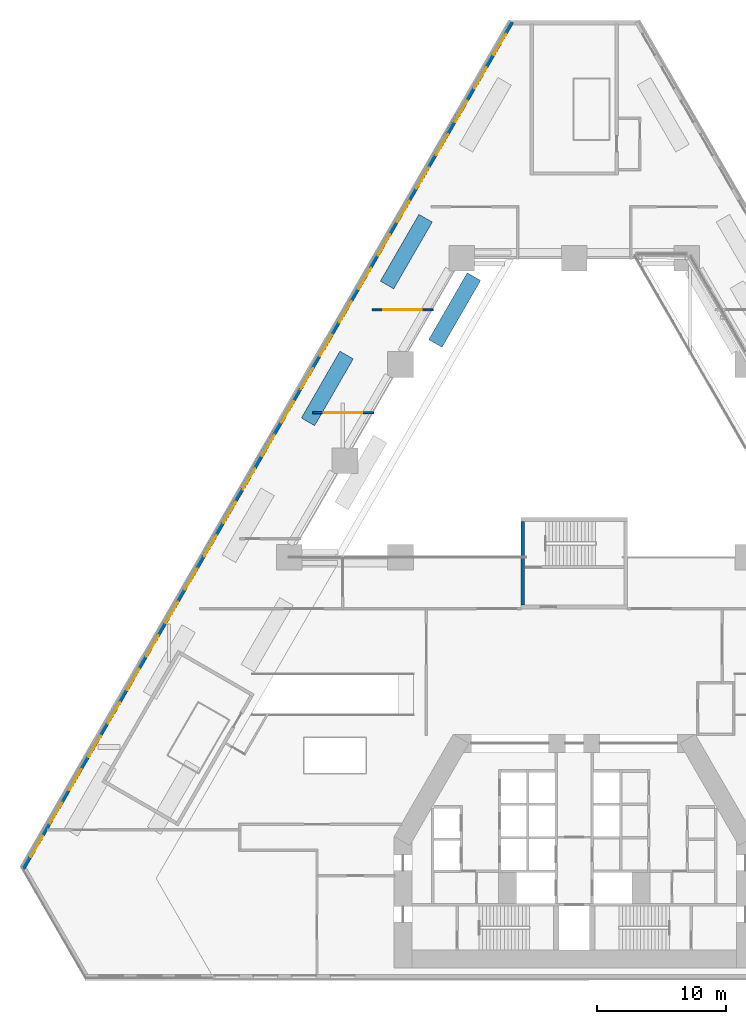
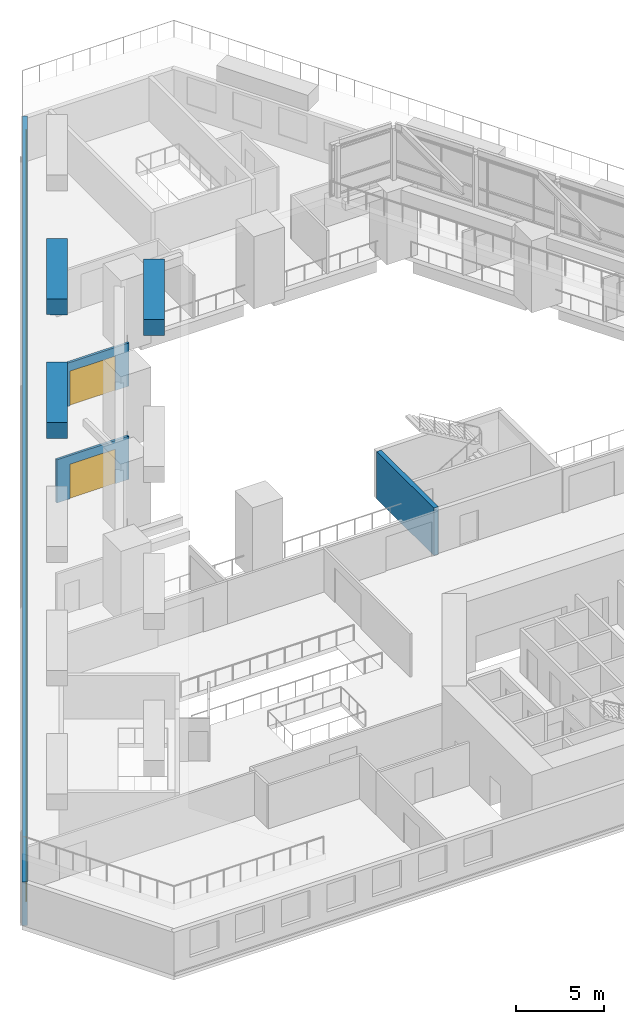
# One storey, part 11 of 19: 25 windows, 7 walls, 2 doors, 27 openings.
"""IFC4 building model written with IfcOpenShell, lengths in metres."""

from ifc_helpers import new_model, si_unit, direction, frame, frame_2d, origin, place, context, subcontext, project, spatial, polyline, rectangle, outline, extrude, material, layer, layer_set, type_object, element, fill, save


model = new_model("IFC4")

# Units and contexts
model_context = context("Model", 3, precision=1e-05, world=origin(), true_north=direction((0.0, 1.0)))
body_context = subcontext(model_context, "Body", "Model", "MODEL_VIEW")
ifc_project = project(units=[si_unit("LENGTHUNIT", "METRE"), si_unit("AREAUNIT", "SQUARE_METRE"), si_unit("VOLUMEUNIT", "CUBIC_METRE"), si_unit("PLANEANGLEUNIT", "RADIAN"), si_unit("MASSUNIT", "GRAM", prefix="KILO")], contexts=[model_context])

# Site, building, storey
site_placement = place(None, origin())
site = spatial("IfcSite", under=ifc_project, at=site_placement, CompositionType="ELEMENT")
building_placement = place(site_placement, origin())
building = spatial("IfcBuilding", under=site, at=building_placement, Name="Fogline Exchange Tower", CompositionType="ELEMENT")
storey_placement = place(building_placement, frame((0.0, 0.0, 20.0)))
storey = spatial("IfcBuildingStorey", under=building, at=storey_placement, Name="L03", CompositionType="ELEMENT", Elevation=20.0)

# Wall
ifc_material_1 = material(Name="Concrete C40", Category="concrete")
ifc_layer_1 = layer(ifc_material_1, 0.300048828125)
ifc_layer_set_1 = layer_set([ifc_layer_1], Name="CW30")
wall_type_1 = type_object("IfcWallType", Name="CW30", PredefinedType="SOLIDWALL", material=ifc_layer_set_1)
wall_1_placement = place(storey_placement, frame((-4.0, 29.056884765625, -0.300048828125), z_axis=(0.0, 0.0, 1.0), x_axis=(0.0, 1.0, 0.0)))
element("IfcWall", 1, at=wall_1_placement, inside=storey, type_object=wall_type_1, Name="Stair enclosure wall ST3", PredefinedType="SOLIDWALL", context=body_context, shape_type="SweptSolid", body=[
    extrude(rectangle(XDim=6.5, YDim=0.300048828125, at=frame_2d((3.25, 0.0))), origin(), (0.0, 0.0, 1.0), 3.300048828125),
])

# Wall, openings, windows
ifc_material_2 = material(Name="Brick masonry", Category="masonry")
ifc_layer_2 = layer(ifc_material_2, 0.340087890625)
ifc_layer_set_2 = layer_set([ifc_layer_2], Name="FW1")
wall_type_2 = type_object("IfcWallType", Name="FW1", PredefinedType="SOLIDWALL", material=ifc_layer_set_2)
wall_2_placement = place(storey_placement, frame((-4.852783203125, 74.393310546875, 0.0), z_axis=(0.0, 0.0, 1.0), x_axis=(-0.49999894854, -0.866026010844, 0.0)))
wall_2 = element("IfcWall", 2, at=wall_2_placement, inside=storey, type_object=wall_type_2, Name="Brick wall L03 W", PredefinedType="SOLIDWALL", context=body_context, shape_type="SweptSolid", body=[
    extrude(rectangle(XDim=76.000244140625, YDim=0.340087890625, at=frame_2d((38.0, 0.0))), origin(), (0.0, 0.0, 1.0), 3.0),
])
opening_1_placement = place(wall_2_placement, frame((1.0576171875, 0.0, 0.89990234375)))
opening_1 = element("IfcOpeningElement", 3, at=opening_1_placement, cuts=wall_2, Name="Opening W9", PredefinedType="OPENING", context=body_context, shape_type="SweptSolid", body=[
    extrude(rectangle(XDim=1.885009765625, YDim=1.89990234375, at=frame_2d((0.9423828125, 0.949951171875))), frame((0.0, 0.18017578125, 0.0), z_axis=(0.0, -1.0, 0.0), x_axis=(1.0, 0.0, 0.0)), (0.0, 0.0, 1.0), 0.360107421875),
])
opening_2_placement = place(wall_2_placement, frame((4.0576171875, 0.0, 0.89990234375)))
opening_2 = element("IfcOpeningElement", 4, at=opening_2_placement, cuts=wall_2, Name="Opening W9", PredefinedType="OPENING", context=body_context, shape_type="SweptSolid", body=[
    extrude(rectangle(XDim=1.885009765625, YDim=1.89990234375, at=frame_2d((0.9423828125, 0.949951171875))), frame((0.0, 0.18017578125, 0.0), z_axis=(0.0, -1.0, 0.0), x_axis=(1.0, 0.0, 0.0)), (0.0, 0.0, 1.0), 0.360107421875),
])
opening_3_placement = place(wall_2_placement, frame((7.0576171875, 0.0, 0.89990234375)))
opening_3 = element("IfcOpeningElement", 5, at=opening_3_placement, cuts=wall_2, Name="Opening W9", PredefinedType="OPENING", context=body_context, shape_type="SweptSolid", body=[
    extrude(rectangle(XDim=1.885009765625, YDim=1.89990234375, at=frame_2d((0.9423828125, 0.949951171875))), frame((0.0, 0.18017578125, 0.0), z_axis=(0.0, -1.0, 0.0), x_axis=(1.0, 0.0, 0.0)), (0.0, 0.0, 1.0), 0.360107421875),
])
opening_4_placement = place(wall_2_placement, frame((10.0576171875, 0.0, 0.89990234375)))
opening_4 = element("IfcOpeningElement", 6, at=opening_4_placement, cuts=wall_2, Name="Opening W9", PredefinedType="OPENING", context=body_context, shape_type="SweptSolid", body=[
    extrude(rectangle(XDim=1.885009765625, YDim=1.89990234375, at=frame_2d((0.9423828125, 0.949951171875))), frame((0.0, 0.18017578125, 0.0), z_axis=(0.0, -1.0, 0.0), x_axis=(1.0, 0.0, 0.0)), (0.0, 0.0, 1.0), 0.360107421875),
])
opening_5_placement = place(wall_2_placement, frame((13.0576171875, 0.0, 0.89990234375)))
opening_5 = element("IfcOpeningElement", 7, at=opening_5_placement, cuts=wall_2, Name="Opening W9", PredefinedType="OPENING", context=body_context, shape_type="SweptSolid", body=[
    extrude(rectangle(XDim=1.885009765625, YDim=1.89990234375, at=frame_2d((0.9423828125, 0.949951171875))), frame((0.0, 0.18017578125, 0.0), z_axis=(0.0, -1.0, 0.0), x_axis=(1.0, 0.0, 0.0)), (0.0, 0.0, 1.0), 0.360107421875),
])
opening_6_placement = place(wall_2_placement, frame((16.0576171875, 0.0, 0.89990234375)))
opening_6 = element("IfcOpeningElement", 8, at=opening_6_placement, cuts=wall_2, Name="Opening W9", PredefinedType="OPENING", context=body_context, shape_type="SweptSolid", body=[
    extrude(rectangle(XDim=1.885009765625, YDim=1.89990234375, at=frame_2d((0.9423828125, 0.949951171875))), frame((0.0, 0.18017578125, 0.0), z_axis=(0.0, -1.0, 0.0), x_axis=(1.0, 0.0, 0.0)), (0.0, 0.0, 1.0), 0.360107421875),
])
opening_7_placement = place(wall_2_placement, frame((19.0576171875, 0.0, 0.89990234375)))
opening_7 = element("IfcOpeningElement", 9, at=opening_7_placement, cuts=wall_2, Name="Opening W9", PredefinedType="OPENING", context=body_context, shape_type="SweptSolid", body=[
    extrude(rectangle(XDim=1.885009765625, YDim=1.89990234375, at=frame_2d((0.9423828125, 0.949951171875))), frame((0.0, 0.18017578125, 0.0), z_axis=(0.0, -1.0, 0.0), x_axis=(1.0, 0.0, 0.0)), (0.0, 0.0, 1.0), 0.360107421875),
])
opening_8_placement = place(wall_2_placement, frame((22.0576171875, 0.0, 0.89990234375)))
opening_8 = element("IfcOpeningElement", 10, at=opening_8_placement, cuts=wall_2, Name="Opening W9", PredefinedType="OPENING", context=body_context, shape_type="SweptSolid", body=[
    extrude(rectangle(XDim=1.885009765625, YDim=1.89990234375, at=frame_2d((0.9423828125, 0.949951171875))), frame((0.0, 0.18017578125, 0.0), z_axis=(0.0, -1.0, 0.0), x_axis=(1.0, 0.0, 0.0)), (0.0, 0.0, 1.0), 0.360107421875),
])
opening_9_placement = place(wall_2_placement, frame((25.0576171875, 0.0, 0.89990234375)))
opening_9 = element("IfcOpeningElement", 11, at=opening_9_placement, cuts=wall_2, Name="Opening W9", PredefinedType="OPENING", context=body_context, shape_type="SweptSolid", body=[
    extrude(rectangle(XDim=1.885009765625, YDim=1.89990234375, at=frame_2d((0.9423828125, 0.949951171875))), frame((0.0, 0.18017578125, 0.0), z_axis=(0.0, -1.0, 0.0), x_axis=(1.0, 0.0, 0.0)), (0.0, 0.0, 1.0), 0.360107421875),
])
opening_10_placement = place(wall_2_placement, frame((28.0576171875, 0.0, 0.89990234375)))
opening_10 = element("IfcOpeningElement", 12, at=opening_10_placement, cuts=wall_2, Name="Opening W9", PredefinedType="OPENING", context=body_context, shape_type="SweptSolid", body=[
    extrude(rectangle(XDim=1.885009765625, YDim=1.89990234375, at=frame_2d((0.9423828125, 0.949951171875))), frame((0.0, 0.18017578125, 0.0), z_axis=(0.0, -1.0, 0.0), x_axis=(1.0, 0.0, 0.0)), (0.0, 0.0, 1.0), 0.360107421875),
])
opening_11_placement = place(wall_2_placement, frame((31.0576171875, 0.0, 0.89990234375)))
opening_11 = element("IfcOpeningElement", 13, at=opening_11_placement, cuts=wall_2, Name="Opening W9", PredefinedType="OPENING", context=body_context, shape_type="SweptSolid", body=[
    extrude(rectangle(XDim=1.885009765625, YDim=1.89990234375, at=frame_2d((0.9423828125, 0.949951171875))), frame((0.0, 0.18017578125, 0.0), z_axis=(0.0, -1.0, 0.0), x_axis=(1.0, 0.0, 0.0)), (0.0, 0.0, 1.0), 0.360107421875),
])
opening_12_placement = place(wall_2_placement, frame((34.0576171875, 0.0, 0.89990234375)))
opening_12 = element("IfcOpeningElement", 14, at=opening_12_placement, cuts=wall_2, Name="Opening W9", PredefinedType="OPENING", context=body_context, shape_type="SweptSolid", body=[
    extrude(rectangle(XDim=1.885009765625, YDim=1.89990234375, at=frame_2d((0.9423828125, 0.949951171875))), frame((0.0, 0.18017578125, 0.0), z_axis=(0.0, -1.0, 0.0), x_axis=(1.0, 0.0, 0.0)), (0.0, 0.0, 1.0), 0.360107421875),
])
opening_13_placement = place(wall_2_placement, frame((37.0576171875, 0.0, 0.89990234375)))
opening_13 = element("IfcOpeningElement", 15, at=opening_13_placement, cuts=wall_2, Name="Opening W9", PredefinedType="OPENING", context=body_context, shape_type="SweptSolid", body=[
    extrude(rectangle(XDim=1.885009765625, YDim=1.89990234375, at=frame_2d((0.9423828125, 0.949951171875))), frame((0.0, 0.18017578125, 0.0), z_axis=(0.0, -1.0, 0.0), x_axis=(1.0, 0.0, 0.0)), (0.0, 0.0, 1.0), 0.360107421875),
])
opening_14_placement = place(wall_2_placement, frame((40.0576171875, 0.0, 0.89990234375)))
opening_14 = element("IfcOpeningElement", 16, at=opening_14_placement, cuts=wall_2, Name="Opening W9", PredefinedType="OPENING", context=body_context, shape_type="SweptSolid", body=[
    extrude(rectangle(XDim=1.885009765625, YDim=1.89990234375, at=frame_2d((0.9423828125, 0.949951171875))), frame((0.0, 0.18017578125, 0.0), z_axis=(0.0, -1.0, 0.0), x_axis=(1.0, 0.0, 0.0)), (0.0, 0.0, 1.0), 0.360107421875),
])
opening_15_placement = place(wall_2_placement, frame((43.0576171875, 0.0, 0.89990234375)))
opening_15 = element("IfcOpeningElement", 17, at=opening_15_placement, cuts=wall_2, Name="Opening W9", PredefinedType="OPENING", context=body_context, shape_type="SweptSolid", body=[
    extrude(rectangle(XDim=1.885009765625, YDim=1.89990234375, at=frame_2d((0.9423828125, 0.949951171875))), frame((0.0, 0.18017578125, 0.0), z_axis=(0.0, -1.0, 0.0), x_axis=(1.0, 0.0, 0.0)), (0.0, 0.0, 1.0), 0.360107421875),
])
opening_16_placement = place(wall_2_placement, frame((46.0576171875, 0.0, 0.89990234375)))
opening_16 = element("IfcOpeningElement", 18, at=opening_16_placement, cuts=wall_2, Name="Opening W9", PredefinedType="OPENING", context=body_context, shape_type="SweptSolid", body=[
    extrude(rectangle(XDim=1.885009765625, YDim=1.89990234375, at=frame_2d((0.9423828125, 0.949951171875))), frame((0.0, 0.18017578125, 0.0), z_axis=(0.0, -1.0, 0.0), x_axis=(1.0, 0.0, 0.0)), (0.0, 0.0, 1.0), 0.360107421875),
])
opening_17_placement = place(wall_2_placement, frame((49.0576171875, 0.0, 0.89990234375)))
opening_17 = element("IfcOpeningElement", 19, at=opening_17_placement, cuts=wall_2, Name="Opening W9", PredefinedType="OPENING", context=body_context, shape_type="SweptSolid", body=[
    extrude(rectangle(XDim=1.885009765625, YDim=1.89990234375, at=frame_2d((0.9423828125, 0.949951171875))), frame((0.0, 0.18017578125, 0.0), z_axis=(0.0, -1.0, 0.0), x_axis=(1.0, 0.0, 0.0)), (0.0, 0.0, 1.0), 0.360107421875),
])
opening_18_placement = place(wall_2_placement, frame((52.0576171875, 0.0, 0.89990234375)))
opening_18 = element("IfcOpeningElement", 20, at=opening_18_placement, cuts=wall_2, Name="Opening W9", PredefinedType="OPENING", context=body_context, shape_type="SweptSolid", body=[
    extrude(rectangle(XDim=1.885009765625, YDim=1.89990234375, at=frame_2d((0.9423828125, 0.949951171875))), frame((0.0, 0.18017578125, 0.0), z_axis=(0.0, -1.0, 0.0), x_axis=(1.0, 0.0, 0.0)), (0.0, 0.0, 1.0), 0.360107421875),
])
opening_19_placement = place(wall_2_placement, frame((55.0576171875, 0.0, 0.89990234375)))
opening_19 = element("IfcOpeningElement", 21, at=opening_19_placement, cuts=wall_2, Name="Opening W9", PredefinedType="OPENING", context=body_context, shape_type="SweptSolid", body=[
    extrude(rectangle(XDim=1.885009765625, YDim=1.89990234375, at=frame_2d((0.9423828125, 0.949951171875))), frame((0.0, 0.18017578125, 0.0), z_axis=(0.0, -1.0, 0.0), x_axis=(1.0, 0.0, 0.0)), (0.0, 0.0, 1.0), 0.360107421875),
])
opening_20_placement = place(wall_2_placement, frame((58.0576171875, 0.0, 0.89990234375)))
opening_20 = element("IfcOpeningElement", 22, at=opening_20_placement, cuts=wall_2, Name="Opening W9", PredefinedType="OPENING", context=body_context, shape_type="SweptSolid", body=[
    extrude(rectangle(XDim=1.885009765625, YDim=1.89990234375, at=frame_2d((0.9423828125, 0.949951171875))), frame((0.0, 0.18017578125, 0.0), z_axis=(0.0, -1.0, 0.0), x_axis=(1.0, 0.0, 0.0)), (0.0, 0.0, 1.0), 0.360107421875),
])
opening_21_placement = place(wall_2_placement, frame((61.0576171875, 0.0, 0.89990234375)))
opening_21 = element("IfcOpeningElement", 23, at=opening_21_placement, cuts=wall_2, Name="Opening W9", PredefinedType="OPENING", context=body_context, shape_type="SweptSolid", body=[
    extrude(rectangle(XDim=1.885009765625, YDim=1.89990234375, at=frame_2d((0.9423828125, 0.949951171875))), frame((0.0, 0.18017578125, 0.0), z_axis=(0.0, -1.0, 0.0), x_axis=(1.0, 0.0, 0.0)), (0.0, 0.0, 1.0), 0.360107421875),
])
opening_22_placement = place(wall_2_placement, frame((64.0576171875, 0.0, 0.89990234375)))
opening_22 = element("IfcOpeningElement", 24, at=opening_22_placement, cuts=wall_2, Name="Opening W9", PredefinedType="OPENING", context=body_context, shape_type="SweptSolid", body=[
    extrude(rectangle(XDim=1.885009765625, YDim=1.89990234375, at=frame_2d((0.9423828125, 0.949951171875))), frame((0.0, 0.18017578125, 0.0), z_axis=(0.0, -1.0, 0.0), x_axis=(1.0, 0.0, 0.0)), (0.0, 0.0, 1.0), 0.360107421875),
])
opening_23_placement = place(wall_2_placement, frame((67.0576171875, 0.0, 0.89990234375)))
opening_23 = element("IfcOpeningElement", 25, at=opening_23_placement, cuts=wall_2, Name="Opening W9", PredefinedType="OPENING", context=body_context, shape_type="SweptSolid", body=[
    extrude(rectangle(XDim=1.885009765625, YDim=1.89990234375, at=frame_2d((0.9423828125, 0.949951171875))), frame((0.0, 0.18017578125, 0.0), z_axis=(0.0, -1.0, 0.0), x_axis=(1.0, 0.0, 0.0)), (0.0, 0.0, 1.0), 0.360107421875),
])
opening_24_placement = place(wall_2_placement, frame((70.0576171875, 0.0, 0.89990234375)))
opening_24 = element("IfcOpeningElement", 26, at=opening_24_placement, cuts=wall_2, Name="Opening W9", PredefinedType="OPENING", context=body_context, shape_type="SweptSolid", body=[
    extrude(rectangle(XDim=1.885009765625, YDim=1.89990234375, at=frame_2d((0.9423828125, 0.949951171875))), frame((0.0, 0.18017578125, 0.0), z_axis=(0.0, -1.0, 0.0), x_axis=(1.0, 0.0, 0.0)), (0.0, 0.0, 1.0), 0.360107421875),
])
opening_25_placement = place(wall_2_placement, frame((73.0576171875, 0.0, 0.89990234375)))
opening_25 = element("IfcOpeningElement", 27, at=opening_25_placement, cuts=wall_2, Name="Opening W9", PredefinedType="OPENING", context=body_context, shape_type="SweptSolid", body=[
    extrude(rectangle(XDim=1.885009765625, YDim=1.89990234375, at=frame_2d((0.9423828125, 0.949951171875))), frame((0.0, 0.18017578125, 0.0), z_axis=(0.0, -1.0, 0.0), x_axis=(1.0, 0.0, 0.0)), (0.0, 0.0, 1.0), 0.360107421875),
])
ifc_material_3 = material(Name="Aluminium and glass", Category="aluminium")
window_type = type_object("IfcWindowType", Name="W9", PartitioningType="SINGLE_PANEL", PredefinedType="WINDOW", material=ifc_material_3)
window_1_placement = place(opening_1_placement, origin())
window_1 = element("IfcWindow", 28, at=window_1_placement, inside=storey, type_object=window_type, Name="W9 W9", OverallHeight=1.89990234375, OverallWidth=1.885009765625, PartitioningType="SINGLE_PANEL", PredefinedType="WINDOW", context=body_context, shape_type="SweptSolid", body=[
    extrude(rectangle(XDim=1.885009765625, YDim=1.89990234375, at=frame_2d((0.9423828125, 0.949951171875))), frame((0.0, 0.110107421875, 0.0), z_axis=(0.0, -1.0, 0.0), x_axis=(1.0, 0.0, 0.0)), (0.0, 0.0, 1.0), 0.06005859375),
])
fill(opening_1, window_1)
window_2_placement = place(opening_2_placement, origin())
window_2 = element("IfcWindow", 29, at=window_2_placement, inside=storey, type_object=window_type, Name="W9 W9", OverallHeight=1.89990234375, OverallWidth=1.885009765625, PartitioningType="SINGLE_PANEL", PredefinedType="WINDOW", context=body_context, shape_type="SweptSolid", body=[
    extrude(rectangle(XDim=1.885009765625, YDim=1.89990234375, at=frame_2d((0.9423828125, 0.949951171875))), frame((0.0, 0.110107421875, 0.0), z_axis=(0.0, -1.0, 0.0), x_axis=(1.0, 0.0, 0.0)), (0.0, 0.0, 1.0), 0.06005859375),
])
fill(opening_2, window_2)
window_3_placement = place(opening_3_placement, origin())
window_3 = element("IfcWindow", 30, at=window_3_placement, inside=storey, type_object=window_type, Name="W9 W9", OverallHeight=1.89990234375, OverallWidth=1.885009765625, PartitioningType="SINGLE_PANEL", PredefinedType="WINDOW", context=body_context, shape_type="SweptSolid", body=[
    extrude(rectangle(XDim=1.885009765625, YDim=1.89990234375, at=frame_2d((0.9423828125, 0.949951171875))), frame((0.0, 0.110107421875, 0.0), z_axis=(0.0, -1.0, 0.0), x_axis=(1.0, 0.0, 0.0)), (0.0, 0.0, 1.0), 0.06005859375),
])
fill(opening_3, window_3)
window_4_placement = place(opening_4_placement, origin())
window_4 = element("IfcWindow", 31, at=window_4_placement, inside=storey, type_object=window_type, Name="W9 W9", OverallHeight=1.89990234375, OverallWidth=1.885009765625, PartitioningType="SINGLE_PANEL", PredefinedType="WINDOW", context=body_context, shape_type="SweptSolid", body=[
    extrude(rectangle(XDim=1.885009765625, YDim=1.89990234375, at=frame_2d((0.9423828125, 0.949951171875))), frame((0.0, 0.110107421875, 0.0), z_axis=(0.0, -1.0, 0.0), x_axis=(1.0, 0.0, 0.0)), (0.0, 0.0, 1.0), 0.06005859375),
])
fill(opening_4, window_4)
window_5_placement = place(opening_5_placement, origin())
window_5 = element("IfcWindow", 32, at=window_5_placement, inside=storey, type_object=window_type, Name="W9 W9", OverallHeight=1.89990234375, OverallWidth=1.885009765625, PartitioningType="SINGLE_PANEL", PredefinedType="WINDOW", context=body_context, shape_type="SweptSolid", body=[
    extrude(rectangle(XDim=1.885009765625, YDim=1.89990234375, at=frame_2d((0.9423828125, 0.949951171875))), frame((0.0, 0.110107421875, 0.0), z_axis=(0.0, -1.0, 0.0), x_axis=(1.0, 0.0, 0.0)), (0.0, 0.0, 1.0), 0.06005859375),
])
fill(opening_5, window_5)
window_6_placement = place(opening_6_placement, origin())
window_6 = element("IfcWindow", 33, at=window_6_placement, inside=storey, type_object=window_type, Name="W9 W9", OverallHeight=1.89990234375, OverallWidth=1.885009765625, PartitioningType="SINGLE_PANEL", PredefinedType="WINDOW", context=body_context, shape_type="SweptSolid", body=[
    extrude(rectangle(XDim=1.885009765625, YDim=1.89990234375, at=frame_2d((0.9423828125, 0.949951171875))), frame((0.0, 0.110107421875, 0.0), z_axis=(0.0, -1.0, 0.0), x_axis=(1.0, 0.0, 0.0)), (0.0, 0.0, 1.0), 0.06005859375),
])
fill(opening_6, window_6)
window_7_placement = place(opening_7_placement, origin())
window_7 = element("IfcWindow", 34, at=window_7_placement, inside=storey, type_object=window_type, Name="W9 W9", OverallHeight=1.89990234375, OverallWidth=1.885009765625, PartitioningType="SINGLE_PANEL", PredefinedType="WINDOW", context=body_context, shape_type="SweptSolid", body=[
    extrude(rectangle(XDim=1.885009765625, YDim=1.89990234375, at=frame_2d((0.9423828125, 0.949951171875))), frame((0.0, 0.110107421875, 0.0), z_axis=(0.0, -1.0, 0.0), x_axis=(1.0, 0.0, 0.0)), (0.0, 0.0, 1.0), 0.06005859375),
])
fill(opening_7, window_7)
window_8_placement = place(opening_8_placement, origin())
window_8 = element("IfcWindow", 35, at=window_8_placement, inside=storey, type_object=window_type, Name="W9 W9", OverallHeight=1.89990234375, OverallWidth=1.885009765625, PartitioningType="SINGLE_PANEL", PredefinedType="WINDOW", context=body_context, shape_type="SweptSolid", body=[
    extrude(rectangle(XDim=1.885009765625, YDim=1.89990234375, at=frame_2d((0.9423828125, 0.949951171875))), frame((0.0, 0.110107421875, 0.0), z_axis=(0.0, -1.0, 0.0), x_axis=(1.0, 0.0, 0.0)), (0.0, 0.0, 1.0), 0.06005859375),
])
fill(opening_8, window_8)
window_9_placement = place(opening_9_placement, origin())
window_9 = element("IfcWindow", 36, at=window_9_placement, inside=storey, type_object=window_type, Name="W9 W9", OverallHeight=1.89990234375, OverallWidth=1.885009765625, PartitioningType="SINGLE_PANEL", PredefinedType="WINDOW", context=body_context, shape_type="SweptSolid", body=[
    extrude(rectangle(XDim=1.885009765625, YDim=1.89990234375, at=frame_2d((0.9423828125, 0.949951171875))), frame((0.0, 0.110107421875, 0.0), z_axis=(0.0, -1.0, 0.0), x_axis=(1.0, 0.0, 0.0)), (0.0, 0.0, 1.0), 0.06005859375),
])
fill(opening_9, window_9)
window_10_placement = place(opening_10_placement, origin())
window_10 = element("IfcWindow", 37, at=window_10_placement, inside=storey, type_object=window_type, Name="W9 W9", OverallHeight=1.89990234375, OverallWidth=1.885009765625, PartitioningType="SINGLE_PANEL", PredefinedType="WINDOW", context=body_context, shape_type="SweptSolid", body=[
    extrude(rectangle(XDim=1.885009765625, YDim=1.89990234375, at=frame_2d((0.9423828125, 0.949951171875))), frame((0.0, 0.110107421875, 0.0), z_axis=(0.0, -1.0, 0.0), x_axis=(1.0, 0.0, 0.0)), (0.0, 0.0, 1.0), 0.06005859375),
])
fill(opening_10, window_10)
window_11_placement = place(opening_11_placement, origin())
window_11 = element("IfcWindow", 38, at=window_11_placement, inside=storey, type_object=window_type, Name="W9 W9", OverallHeight=1.89990234375, OverallWidth=1.885009765625, PartitioningType="SINGLE_PANEL", PredefinedType="WINDOW", context=body_context, shape_type="SweptSolid", body=[
    extrude(rectangle(XDim=1.885009765625, YDim=1.89990234375, at=frame_2d((0.9423828125, 0.949951171875))), frame((0.0, 0.110107421875, 0.0), z_axis=(0.0, -1.0, 0.0), x_axis=(1.0, 0.0, 0.0)), (0.0, 0.0, 1.0), 0.06005859375),
])
fill(opening_11, window_11)
window_12_placement = place(opening_12_placement, origin())
window_12 = element("IfcWindow", 39, at=window_12_placement, inside=storey, type_object=window_type, Name="W9 W9", OverallHeight=1.89990234375, OverallWidth=1.885009765625, PartitioningType="SINGLE_PANEL", PredefinedType="WINDOW", context=body_context, shape_type="SweptSolid", body=[
    extrude(rectangle(XDim=1.885009765625, YDim=1.89990234375, at=frame_2d((0.9423828125, 0.949951171875))), frame((0.0, 0.110107421875, 0.0), z_axis=(0.0, -1.0, 0.0), x_axis=(1.0, 0.0, 0.0)), (0.0, 0.0, 1.0), 0.06005859375),
])
fill(opening_12, window_12)
window_13_placement = place(opening_13_placement, origin())
window_13 = element("IfcWindow", 40, at=window_13_placement, inside=storey, type_object=window_type, Name="W9 W9", OverallHeight=1.89990234375, OverallWidth=1.885009765625, PartitioningType="SINGLE_PANEL", PredefinedType="WINDOW", context=body_context, shape_type="SweptSolid", body=[
    extrude(rectangle(XDim=1.885009765625, YDim=1.89990234375, at=frame_2d((0.9423828125, 0.949951171875))), frame((0.0, 0.110107421875, 0.0), z_axis=(0.0, -1.0, 0.0), x_axis=(1.0, 0.0, 0.0)), (0.0, 0.0, 1.0), 0.06005859375),
])
fill(opening_13, window_13)
window_14_placement = place(opening_14_placement, origin())
window_14 = element("IfcWindow", 41, at=window_14_placement, inside=storey, type_object=window_type, Name="W9 W9", OverallHeight=1.89990234375, OverallWidth=1.885009765625, PartitioningType="SINGLE_PANEL", PredefinedType="WINDOW", context=body_context, shape_type="SweptSolid", body=[
    extrude(rectangle(XDim=1.885009765625, YDim=1.89990234375, at=frame_2d((0.9423828125, 0.949951171875))), frame((0.0, 0.110107421875, 0.0), z_axis=(0.0, -1.0, 0.0), x_axis=(1.0, 0.0, 0.0)), (0.0, 0.0, 1.0), 0.06005859375),
])
fill(opening_14, window_14)
window_15_placement = place(opening_15_placement, origin())
window_15 = element("IfcWindow", 42, at=window_15_placement, inside=storey, type_object=window_type, Name="W9 W9", OverallHeight=1.89990234375, OverallWidth=1.885009765625, PartitioningType="SINGLE_PANEL", PredefinedType="WINDOW", context=body_context, shape_type="SweptSolid", body=[
    extrude(rectangle(XDim=1.885009765625, YDim=1.89990234375, at=frame_2d((0.9423828125, 0.949951171875))), frame((0.0, 0.110107421875, 0.0), z_axis=(0.0, -1.0, 0.0), x_axis=(1.0, 0.0, 0.0)), (0.0, 0.0, 1.0), 0.06005859375),
])
fill(opening_15, window_15)
window_16_placement = place(opening_16_placement, origin())
window_16 = element("IfcWindow", 43, at=window_16_placement, inside=storey, type_object=window_type, Name="W9 W9", OverallHeight=1.89990234375, OverallWidth=1.885009765625, PartitioningType="SINGLE_PANEL", PredefinedType="WINDOW", context=body_context, shape_type="SweptSolid", body=[
    extrude(rectangle(XDim=1.885009765625, YDim=1.89990234375, at=frame_2d((0.9423828125, 0.949951171875))), frame((0.0, 0.110107421875, 0.0), z_axis=(0.0, -1.0, 0.0), x_axis=(1.0, 0.0, 0.0)), (0.0, 0.0, 1.0), 0.06005859375),
])
fill(opening_16, window_16)
window_17_placement = place(opening_17_placement, origin())
window_17 = element("IfcWindow", 44, at=window_17_placement, inside=storey, type_object=window_type, Name="W9 W9", OverallHeight=1.89990234375, OverallWidth=1.885009765625, PartitioningType="SINGLE_PANEL", PredefinedType="WINDOW", context=body_context, shape_type="SweptSolid", body=[
    extrude(rectangle(XDim=1.885009765625, YDim=1.89990234375, at=frame_2d((0.9423828125, 0.949951171875))), frame((0.0, 0.110107421875, 0.0), z_axis=(0.0, -1.0, 0.0), x_axis=(1.0, 0.0, 0.0)), (0.0, 0.0, 1.0), 0.06005859375),
])
fill(opening_17, window_17)
window_18_placement = place(opening_18_placement, origin())
window_18 = element("IfcWindow", 45, at=window_18_placement, inside=storey, type_object=window_type, Name="W9 W9", OverallHeight=1.89990234375, OverallWidth=1.885009765625, PartitioningType="SINGLE_PANEL", PredefinedType="WINDOW", context=body_context, shape_type="SweptSolid", body=[
    extrude(rectangle(XDim=1.885009765625, YDim=1.89990234375, at=frame_2d((0.9423828125, 0.949951171875))), frame((0.0, 0.110107421875, 0.0), z_axis=(0.0, -1.0, 0.0), x_axis=(1.0, 0.0, 0.0)), (0.0, 0.0, 1.0), 0.06005859375),
])
fill(opening_18, window_18)
window_19_placement = place(opening_19_placement, origin())
window_19 = element("IfcWindow", 46, at=window_19_placement, inside=storey, type_object=window_type, Name="W9 W9", OverallHeight=1.89990234375, OverallWidth=1.885009765625, PartitioningType="SINGLE_PANEL", PredefinedType="WINDOW", context=body_context, shape_type="SweptSolid", body=[
    extrude(rectangle(XDim=1.885009765625, YDim=1.89990234375, at=frame_2d((0.9423828125, 0.949951171875))), frame((0.0, 0.110107421875, 0.0), z_axis=(0.0, -1.0, 0.0), x_axis=(1.0, 0.0, 0.0)), (0.0, 0.0, 1.0), 0.06005859375),
])
fill(opening_19, window_19)
window_20_placement = place(opening_20_placement, origin())
window_20 = element("IfcWindow", 47, at=window_20_placement, inside=storey, type_object=window_type, Name="W9 W9", OverallHeight=1.89990234375, OverallWidth=1.885009765625, PartitioningType="SINGLE_PANEL", PredefinedType="WINDOW", context=body_context, shape_type="SweptSolid", body=[
    extrude(rectangle(XDim=1.885009765625, YDim=1.89990234375, at=frame_2d((0.9423828125, 0.949951171875))), frame((0.0, 0.110107421875, 0.0), z_axis=(0.0, -1.0, 0.0), x_axis=(1.0, 0.0, 0.0)), (0.0, 0.0, 1.0), 0.06005859375),
])
fill(opening_20, window_20)
window_21_placement = place(opening_21_placement, origin())
window_21 = element("IfcWindow", 48, at=window_21_placement, inside=storey, type_object=window_type, Name="W9 W9", OverallHeight=1.89990234375, OverallWidth=1.885009765625, PartitioningType="SINGLE_PANEL", PredefinedType="WINDOW", context=body_context, shape_type="SweptSolid", body=[
    extrude(rectangle(XDim=1.885009765625, YDim=1.89990234375, at=frame_2d((0.9423828125, 0.949951171875))), frame((0.0, 0.110107421875, 0.0), z_axis=(0.0, -1.0, 0.0), x_axis=(1.0, 0.0, 0.0)), (0.0, 0.0, 1.0), 0.06005859375),
])
fill(opening_21, window_21)
window_22_placement = place(opening_22_placement, origin())
window_22 = element("IfcWindow", 49, at=window_22_placement, inside=storey, type_object=window_type, Name="W9 W9", OverallHeight=1.89990234375, OverallWidth=1.885009765625, PartitioningType="SINGLE_PANEL", PredefinedType="WINDOW", context=body_context, shape_type="SweptSolid", body=[
    extrude(rectangle(XDim=1.885009765625, YDim=1.89990234375, at=frame_2d((0.9423828125, 0.949951171875))), frame((0.0, 0.110107421875, 0.0), z_axis=(0.0, -1.0, 0.0), x_axis=(1.0, 0.0, 0.0)), (0.0, 0.0, 1.0), 0.06005859375),
])
fill(opening_22, window_22)
window_23_placement = place(opening_23_placement, origin())
window_23 = element("IfcWindow", 50, at=window_23_placement, inside=storey, type_object=window_type, Name="W9 W9", OverallHeight=1.89990234375, OverallWidth=1.885009765625, PartitioningType="SINGLE_PANEL", PredefinedType="WINDOW", context=body_context, shape_type="SweptSolid", body=[
    extrude(rectangle(XDim=1.885009765625, YDim=1.89990234375, at=frame_2d((0.9423828125, 0.949951171875))), frame((0.0, 0.110107421875, 0.0), z_axis=(0.0, -1.0, 0.0), x_axis=(1.0, 0.0, 0.0)), (0.0, 0.0, 1.0), 0.06005859375),
])
fill(opening_23, window_23)
window_24_placement = place(opening_24_placement, origin())
window_24 = element("IfcWindow", 51, at=window_24_placement, inside=storey, type_object=window_type, Name="W9 W9", OverallHeight=1.89990234375, OverallWidth=1.885009765625, PartitioningType="SINGLE_PANEL", PredefinedType="WINDOW", context=body_context, shape_type="SweptSolid", body=[
    extrude(rectangle(XDim=1.885009765625, YDim=1.89990234375, at=frame_2d((0.9423828125, 0.949951171875))), frame((0.0, 0.110107421875, 0.0), z_axis=(0.0, -1.0, 0.0), x_axis=(1.0, 0.0, 0.0)), (0.0, 0.0, 1.0), 0.06005859375),
])
fill(opening_24, window_24)
window_25_placement = place(opening_25_placement, origin())
window_25 = element("IfcWindow", 52, at=window_25_placement, inside=storey, type_object=window_type, Name="W9 W9", OverallHeight=1.89990234375, OverallWidth=1.885009765625, PartitioningType="SINGLE_PANEL", PredefinedType="WINDOW", context=body_context, shape_type="SweptSolid", body=[
    extrude(rectangle(XDim=1.885009765625, YDim=1.89990234375, at=frame_2d((0.9423828125, 0.949951171875))), frame((0.0, 0.110107421875, 0.0), z_axis=(0.0, -1.0, 0.0), x_axis=(1.0, 0.0, 0.0)), (0.0, 0.0, 1.0), 0.06005859375),
])
fill(opening_25, window_25)

# Walls
ifc_material_4 = material(Name="Concrete C30", Category="concrete")
ifc_layer_3 = layer(ifc_material_4, 0.199951171875)
ifc_layer_set_3 = layer_set([ifc_layer_3], Name="PL1")
wall_type_3 = type_object("IfcWallType", Name="PL1", PredefinedType="USERDEFINED", material=ifc_layer_set_3)
wall_3_placement = place(storey_placement, frame((0.0, 0.0, 5.0)))
element("IfcWall", 53, at=wall_3_placement, inside=storey, type_object=wall_type_3, Name="PLANTER podium terrace", ObjectType="PLANTER", PredefinedType="USERDEFINED", context=body_context, shape_type="SweptSolid", body=[
    extrude(outline(polyline([(-21.217041015625, 43.58935546875), (-20.177978515625, 42.9892578125), (-17.177978515625, 48.185546875), (-18.217041015625, 48.785400390625), (-21.217041015625, 43.58935546875)])), origin(), (0.0, 0.0, 1.0), 1.10009765625),
])
wall_4_placement = place(storey_placement, frame((0.0, 0.0, 5.0)))
element("IfcWall", 54, at=wall_4_placement, inside=storey, type_object=wall_type_3, Name="PLANTER podium terrace", ObjectType="PLANTER", PredefinedType="USERDEFINED", context=body_context, shape_type="SweptSolid", body=[
    extrude(outline(polyline([(-15.076171875, 54.2255859375), (-14.037109375, 53.62548828125), (-11.037109375, 58.82177734375), (-12.076171875, 59.421875), (-15.076171875, 54.2255859375)])), origin(), (0.0, 0.0, 1.0), 1.10009765625),
])
wall_5_placement = place(storey_placement, frame((0.0, 0.0, 5.0)))
element("IfcWall", 55, at=wall_5_placement, inside=storey, type_object=wall_type_3, Name="PLANTER podium terrace", ObjectType="PLANTER", PredefinedType="USERDEFINED", context=body_context, shape_type="SweptSolid", body=[
    extrude(outline(polyline([(-7.279296875, 54.277587890625), (-8.318603515625, 54.87744140625), (-11.318603515625, 49.681396484375), (-10.279296875, 49.081298828125), (-7.279296875, 54.277587890625)])), origin(), (0.0, 0.0, 1.0), 1.10009765625),
])

# Wall, opening, door
ifc_material_5 = material(Name="Plasterboard on steel stud", Category="steel")
ifc_layer_4 = layer(ifc_material_5, 0.14990234375)
ifc_layer_set_4 = layer_set([ifc_layer_4], Name="PP1")
wall_type_4 = type_object("IfcWallType", Name="PP1", PredefinedType="PARTITIONING", material=ifc_layer_set_4)
wall_6_placement = place(storey_placement, frame((-20.327392578125, 44.0, 0.0), z_axis=(0.0, 0.0, 1.0), x_axis=(1.0, 0.0, 0.0)))
wall_6 = element("IfcWall", 56, at=wall_6_placement, inside=storey, type_object=wall_type_4, Name="PP1 partition", PredefinedType="PARTITIONING", context=body_context, shape_type="SweptSolid", body=[
    extrude(rectangle(XDim=4.73388671875, YDim=0.14990234375, at=frame_2d((2.366943359375, 0.0))), origin(), (0.0, 0.0, 1.0), 3.0),
])
opening_26_placement = place(wall_6_placement, frame((0.849853515625, 0.0, 0.0)))
opening_26 = element("IfcOpeningElement", 57, at=opening_26_placement, cuts=wall_6, Name="Opening P03-D022", PredefinedType="OPENING", context=body_context, shape_type="SweptSolid", body=[
    extrude(rectangle(XDim=3.0, YDim=2.39990234375, at=frame_2d((1.5, 1.199951171875))), frame((0.0, 0.0849609375, 0.0), z_axis=(0.0, -1.0, 0.0), x_axis=(1.0, 0.0, 0.0)), (0.0, 0.0, 1.0), 0.169921875),
])
ifc_material_6 = material(Name="Steel Q235B", Category="steel")
door_type = type_object("IfcDoorType", Name="PD13", OperationType="DOUBLE_DOOR_SINGLE_SWING", PredefinedType="DOOR", material=ifc_material_6)
door_1_placement = place(opening_26_placement, origin())
door_1 = element("IfcDoor", 58, at=door_1_placement, inside=storey, type_object=door_type, Name="P03-D022", OperationType="DOUBLE_DOOR_SINGLE_SWING", OverallHeight=2.39990234375, OverallWidth=3.0, PredefinedType="DOOR", context=body_context, shape_type="SweptSolid", body=[
    extrude(rectangle(XDim=3.0, YDim=2.39990234375, at=frame_2d((1.5, 1.199951171875))), frame((0.0, 0.02490234375, 0.0), z_axis=(0.0, -1.0, 0.0), x_axis=(1.0, 0.0, 0.0)), (0.0, 0.0, 1.0), 0.050048828125),
])
fill(opening_26, door_1)

wall_7_placement = place(storey_placement, frame((-15.708740234375, 52.0, 0.0), z_axis=(0.0, 0.0, 1.0), x_axis=(1.0, 0.0, 0.0)))
wall_7 = element("IfcWall", 59, at=wall_7_placement, inside=storey, type_object=wall_type_4, Name="PP1 partition", PredefinedType="PARTITIONING", context=body_context, shape_type="SweptSolid", body=[
    extrude(rectangle(XDim=4.734130859375, YDim=0.14990234375, at=frame_2d((2.3671875, 0.0))), origin(), (0.0, 0.0, 1.0), 3.0),
])
opening_27_placement = place(wall_7_placement, frame((0.849853515625, 0.0, 0.0)))
opening_27 = element("IfcOpeningElement", 60, at=opening_27_placement, cuts=wall_7, Name="Opening P03-D024", PredefinedType="OPENING", context=body_context, shape_type="SweptSolid", body=[
    extrude(rectangle(XDim=3.0, YDim=2.39990234375, at=frame_2d((1.5, 1.199951171875))), frame((0.0, 0.0849609375, 0.0), z_axis=(0.0, -1.0, 0.0), x_axis=(1.0, 0.0, 0.0)), (0.0, 0.0, 1.0), 0.169921875),
])
door_2_placement = place(opening_27_placement, frame((3.0, 0.0, 0.0), z_axis=(0.0, 0.0, 1.0), x_axis=(-1.0, 0.0, 0.0)))
door_2 = element("IfcDoor", 61, at=door_2_placement, inside=storey, type_object=door_type, Name="P03-D024", OperationType="DOUBLE_DOOR_SINGLE_SWING", OverallHeight=2.39990234375, OverallWidth=3.0, PredefinedType="DOOR", context=body_context, shape_type="SweptSolid", body=[
    extrude(rectangle(XDim=3.0, YDim=2.39990234375, at=frame_2d((1.5, 1.199951171875))), frame((0.0, 0.02490234375, 0.0), z_axis=(0.0, -1.0, 0.0), x_axis=(1.0, 0.0, 0.0)), (0.0, 0.0, 1.0), 0.050048828125),
])
fill(opening_27, door_2)

save(model, "model.ifc")
